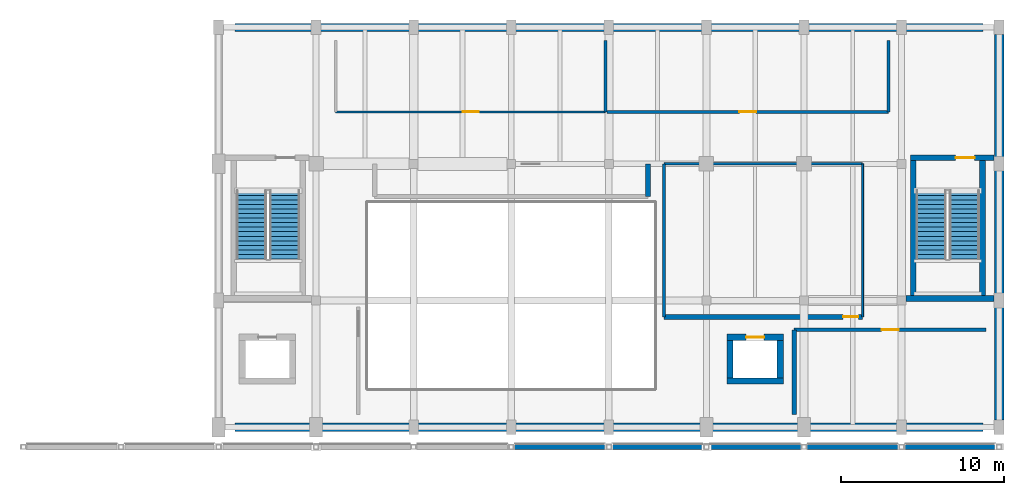
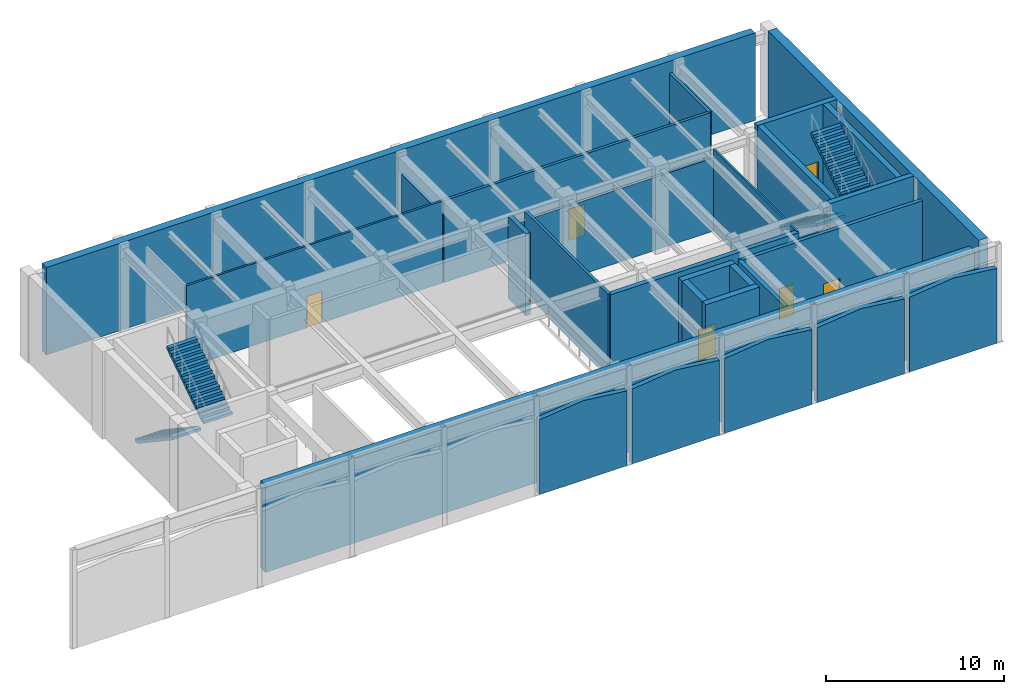
# One storey, part 5 of 8: 27 walls, 6 doors, 4 stair flights, 6 openings, 2 elements without a shape of their own.
"""IFC4 building model written with IfcOpenShell, lengths in metres."""

from ifc_helpers import new_model, si_unit, direction, frame, frame_2d, origin, place, context, subcontext, project, spatial, polyline, rectangle, outline, extrude, material, layer, layer_set, type_object, element, fill, aggregate, save


model = new_model("IFC4")

# Units and contexts
model_context = context("Model", 3, precision=1e-05, world=origin(), true_north=direction((0.0, 1.0)))
body_context = subcontext(model_context, "Body", "Model", "MODEL_VIEW")
ifc_project = project(units=[si_unit("LENGTHUNIT", "METRE"), si_unit("AREAUNIT", "SQUARE_METRE"), si_unit("VOLUMEUNIT", "CUBIC_METRE"), si_unit("PLANEANGLEUNIT", "RADIAN"), si_unit("MASSUNIT", "GRAM", prefix="KILO")], contexts=[model_context])

# Site, building, storey
site_placement = place(None, origin())
site = spatial("IfcSite", under=ifc_project, at=site_placement, CompositionType="ELEMENT")
building_placement = place(site_placement, origin())
building = spatial("IfcBuilding", under=site, at=building_placement, Name="Vaelkrest Opera House", CompositionType="ELEMENT")
storey_placement = place(building_placement, frame((0.0, 0.0, 30.0)))
storey = spatial("IfcBuildingStorey", under=building, at=storey_placement, Name="L06", CompositionType="ELEMENT", Elevation=30.0)

# Walls
ifc_material_1 = material(Name="American black walnut acoustic timber", Category="wood")
ifc_layer_1 = layer(ifc_material_1, 0.31494140625)
ifc_layer_set_1 = layer_set([ifc_layer_1], Name="American black walnut acoustic timber")
wall_type_1 = type_object("IfcWallType", Name="EW04", PredefinedType="STANDARD", material=ifc_layer_set_1)
for number, where, z_axis, x_axis, name in (
    (1, (0.14990234375, 16.199951171875, 0.0), (0.0, 0.0, 1.0), (1.0, 0.0, 0.0), "Pleated roof timber gable infill wall V1-06"),
    (2, (6.14990234375, 16.199951171875, 0.0), (0.0, 0.0, 1.0), (1.0, 0.0, 0.0), "Pleated roof timber gable infill wall V1-07"),
    (3, (12.14990234375, 16.199951171875, 0.0), (0.0, 0.0, 1.0), (1.0, 0.0, 0.0), "Pleated roof timber gable infill wall V1-08"),
    (4, (18.14990234375, 16.199951171875, 0.0), (0.0, 0.0, 1.0), (1.0, 0.0, 0.0), "Pleated roof timber gable infill wall V1-09"),
    (5, (24.14990234375, 16.199951171875, 0.0), (0.0, 0.0, 1.0), (1.0, 0.0, 0.0), "Pleated roof timber gable infill wall V1-10"),
):
    element("IfcWall", number, at=place(storey_placement, frame(where, z_axis=z_axis, x_axis=x_axis)), inside=storey, type_object=wall_type_1, Name=name, PredefinedType="STANDARD", context=body_context, shape_type="SweptSolid", body=[
        extrude(outline(polyline([(0.0, 0.0), (5.7001953125, 0.0), (5.699951171875, 5.135986328125), (2.85009765625, 5.4599609375), (0.0, 5.135986328125), (0.0, 0.0)])), frame((0.0, 0.157470703125, 0.0), z_axis=(0.0, -1.0, 0.0), x_axis=(1.0, 0.0, 0.0)), (0.0, 0.0, 1.0), 0.31494140625),
    ])
ifc_material_2 = material(Name="Gypsum acoustic board", Category="gypsum")
ifc_layer_2 = layer(ifc_material_2, 0.1201171875)
ifc_layer_set_2 = layer_set([ifc_layer_2], Name="Gypsum acoustic board")
wall_type_2 = type_object("IfcWallType", Name="PT01", PredefinedType="PARTITIONING", material=ifc_layer_set_2)
wall_1_placement = place(storey_placement, frame((21.60009765625, 24.199951171875, 0.0), z_axis=(0.0, 0.0, 1.0), x_axis=(0.0, 1.0, 0.0)))
element("IfcWall", 6, at=wall_1_placement, inside=storey, type_object=wall_type_2, Name="Interior partition PT-V2-L06-0239", PredefinedType="PARTITIONING", context=body_context, shape_type="SweptSolid", body=[
    extrude(rectangle(XDim=9.400146484375, YDim=0.1201171875, at=frame_2d((4.7001953125, 0.0))), origin(), (0.0, 0.0, 1.0), 5.6201171875),
])

# Wall, opening, door
ifc_layer_3 = layer(ifc_material_2, 0.135009765625)
ifc_layer_set_3 = layer_set([ifc_layer_3], Name="Gypsum acoustic board")
wall_type_3 = type_object("IfcWallType", Name="PT02", PredefinedType="PARTITIONING", material=ifc_layer_set_3)
wall_2_placement = place(storey_placement, frame((-10.800048828125, 36.800048828125, 0.0), z_axis=(0.0, 0.0, 1.0), x_axis=(1.0, 0.0, 0.0)))
wall_2 = element("IfcWall", 7, at=wall_2_placement, inside=storey, type_object=wall_type_3, Name="Interior partition PT-V2-L06-0240", PredefinedType="PARTITIONING", context=body_context, shape_type="SweptSolid", body=[
    extrude(rectangle(XDim=16.60009765625, YDim=0.135009765625, at=frame_2d((8.300048828125, 0.0))), origin(), (0.0, 0.0, 1.0), 5.6201171875),
])
opening_1_placement = place(wall_2_placement, frame((7.81005859375, 0.0, 0.0)))
opening_1 = element("IfcOpeningElement", 8, at=opening_1_placement, cuts=wall_2, Name="Opening D093", PredefinedType="OPENING", context=body_context, shape_type="SweptSolid", body=[
    extrude(rectangle(XDim=0.97998046875, YDim=2.14990234375, at=frame_2d((0.489990234375, 1.074951171875))), frame((0.0, 0.077392578125, 0.0), z_axis=(0.0, -1.0, 0.0), x_axis=(1.0, 0.0, 0.0)), (0.0, 0.0, 1.0), 0.155029296875),
])
door_type_1 = type_object("IfcDoorType", Name="DT03", OperationType="NOTDEFINED", PredefinedType="DOOR", material=ifc_material_1)
door_1_placement = place(opening_1_placement, origin())
door_1 = element("IfcDoor", 9, at=door_1_placement, inside=storey, type_object=door_type_1, Name="Interior door D093 (Rigging Control Room)", OperationType="SINGLE_SWING_LEFT", OverallHeight=2.14990234375, OverallWidth=0.97998046875, PredefinedType="DOOR", context=body_context, shape_type="SweptSolid", body=[
    extrude(rectangle(XDim=0.97998046875, YDim=2.14990234375, at=frame_2d((0.489990234375, 1.074951171875))), frame((0.0, 0.02490234375, 0.0), z_axis=(0.0, -1.0, 0.0), x_axis=(1.0, 0.0, 0.0)), (0.0, 0.0, 1.0), 0.050048828125),
])
fill(opening_1, door_1)

# Wall
ifc_layer_4 = layer(ifc_material_2, 0.1650390625)
ifc_layer_set_4 = layer_set([ifc_layer_4], Name="Gypsum acoustic board")
wall_type_4 = type_object("IfcWallType", Name="PT04", PredefinedType="PARTITIONING", material=ifc_layer_set_4)
wall_3_placement = place(storey_placement, frame((5.800048828125, 36.800048828125, 0.0), z_axis=(0.0, 0.0, 1.0), x_axis=(0.0, 1.0, 0.0)))
element("IfcWall", 10, at=wall_3_placement, inside=storey, type_object=wall_type_4, Name="Interior partition PT-V2-L06-0242", PredefinedType="PARTITIONING", context=body_context, shape_type="SweptSolid", body=[
    extrude(rectangle(XDim=4.39990234375, YDim=0.1650390625, at=frame_2d((2.199951171875, 0.0))), origin(), (0.0, 0.0, 1.0), 4.7900390625),
])

# Wall, opening, door
ifc_layer_5 = layer(ifc_material_2, 0.179931640625)
ifc_layer_set_5 = layer_set([ifc_layer_5], Name="Gypsum acoustic board")
wall_type_5 = type_object("IfcWallType", Name="PT05", PredefinedType="PARTITIONING", material=ifc_layer_set_5)
wall_4_placement = place(storey_placement, frame((5.8798828125, 36.800048828125, 0.0), z_axis=(0.0, 0.0, 1.0), x_axis=(1.0, 0.0, 0.0)))
wall_4 = element("IfcWall", 11, at=wall_4_placement, inside=storey, type_object=wall_type_5, Name="Interior partition PT-V2-L06-0243", PredefinedType="PARTITIONING", context=body_context, shape_type="SweptSolid", body=[
    extrude(rectangle(XDim=17.320068359375, YDim=0.179931640625, at=frame_2d((8.66015625, 0.0))), origin(), (0.0, 0.0, 1.0), 5.6201171875),
])
opening_2_placement = place(wall_4_placement, frame((8.14990234375, 0.0, 0.0)))
opening_2 = element("IfcOpeningElement", 12, at=opening_2_placement, cuts=wall_4, Name="Opening D094", PredefinedType="OPENING", context=body_context, shape_type="SweptSolid", body=[
    extrude(rectangle(XDim=1.02001953125, YDim=2.14990234375, at=frame_2d((0.510009765625, 1.074951171875))), frame((0.0, 0.099853515625, 0.0), z_axis=(0.0, -1.0, 0.0), x_axis=(1.0, 0.0, 0.0)), (0.0, 0.0, 1.0), 0.199951171875),
])
door_type_2 = type_object("IfcDoorType", Name="DT04", OperationType="NOTDEFINED", PredefinedType="DOOR", material=ifc_material_1)
door_2_placement = place(opening_2_placement, origin())
door_2 = element("IfcDoor", 13, at=door_2_placement, inside=storey, type_object=door_type_2, Name="Interior door D094 (Winch Room)", OperationType="SINGLE_SWING_RIGHT", OverallHeight=2.14990234375, OverallWidth=1.02001953125, PredefinedType="DOOR", context=body_context, shape_type="SweptSolid", body=[
    extrude(rectangle(XDim=1.02001953125, YDim=2.14990234375, at=frame_2d((0.510009765625, 1.074951171875))), frame((0.0, 0.02490234375, 0.0), z_axis=(0.0, -1.0, 0.0), x_axis=(1.0, 0.0, 0.0)), (0.0, 0.0, 1.0), 0.050048828125),
])
fill(opening_2, door_2)

# Wall
ifc_layer_6 = layer(ifc_material_2, 0.195068359375)
ifc_layer_set_6 = layer_set([ifc_layer_6], Name="Gypsum acoustic board")
wall_type_6 = type_object("IfcWallType", Name="PT06", PredefinedType="PARTITIONING", material=ifc_layer_set_6)
wall_5_placement = place(storey_placement, frame((23.199951171875, 36.800048828125, 0.0), z_axis=(0.0, 0.0, 1.0), x_axis=(0.0, 1.0, 0.0)))
element("IfcWall", 14, at=wall_5_placement, inside=storey, type_object=wall_type_6, Name="Interior partition PT-V2-L06-0244", PredefinedType="PARTITIONING", context=body_context, shape_type="SweptSolid", body=[
    extrude(rectangle(XDim=4.39990234375, YDim=0.195068359375, at=frame_2d((2.199951171875, 0.0))), origin(), (0.0, 0.0, 1.0), 5.6201171875),
])

# Wall, opening, door
ifc_material_3 = material(Name="Concrete C40/50", Category="concrete")
ifc_layer_7 = layer(ifc_material_3, 0.239990234375)
ifc_layer_set_7 = layer_set([ifc_layer_7], Name="Concrete C40/50")
wall_type_7 = type_object("IfcWallType", Name="PT09", PredefinedType="PARTITIONING", material=ifc_layer_set_7)
wall_6_placement = place(storey_placement, frame((17.39990234375, 23.39990234375, 0.0), z_axis=(0.0, 0.0, 1.0), x_axis=(1.0, 0.0, 0.0)))
wall_6 = element("IfcWall", 15, at=wall_6_placement, inside=storey, type_object=wall_type_7, Name="Interior partition PT-V2-L06-0245", PredefinedType="PARTITIONING", context=body_context, shape_type="SweptSolid", body=[
    extrude(rectangle(XDim=11.800048828125, YDim=0.239990234375, at=frame_2d((5.89990234375, 0.0))), origin(), (0.0, 0.0, 1.0), 5.6201171875),
])
opening_3_placement = place(wall_6_placement, frame((5.3701171875, 0.0, 0.0)))
opening_3 = element("IfcOpeningElement", 16, at=opening_3_placement, cuts=wall_6, Name="Opening D095", PredefinedType="OPENING", context=body_context, shape_type="SweptSolid", body=[
    extrude(rectangle(XDim=1.06005859375, YDim=2.14990234375, at=frame_2d((0.530029296875, 1.074951171875))), frame((0.0, 0.1298828125, 0.0), z_axis=(0.0, -1.0, 0.0), x_axis=(1.0, 0.0, 0.0)), (0.0, 0.0, 1.0), 0.260009765625),
])
door_type_3 = type_object("IfcDoorType", Name="DT05", OperationType="NOTDEFINED", PredefinedType="DOOR", material=ifc_material_1)
door_3_placement = place(opening_3_placement, origin())
door_3 = element("IfcDoor", 17, at=door_3_placement, inside=storey, type_object=door_type_3, Name="Interior door D095 (Smoke Exhaust Fan Room)", OperationType="SINGLE_SWING_LEFT", OverallHeight=2.14990234375, OverallWidth=1.06005859375, PredefinedType="DOOR", context=body_context, shape_type="SweptSolid", body=[
    extrude(rectangle(XDim=1.06005859375, YDim=2.14990234375, at=frame_2d((0.530029296875, 1.074951171875))), frame((0.0, 0.02490234375, 0.0), z_axis=(0.0, -1.0, 0.0), x_axis=(1.0, 0.0, 0.0)), (0.0, 0.0, 1.0), 0.050048828125),
])
fill(opening_3, door_3)

# Wall
ifc_layer_8 = layer(ifc_material_3, 0.260009765625)
ifc_layer_set_8 = layer_set([ifc_layer_8], Name="Concrete C40/50")
wall_type_8 = type_object("IfcWallType", Name="PT10", PredefinedType="PARTITIONING", material=ifc_layer_set_8)
wall_7_placement = place(storey_placement, frame((17.39990234375, 18.199951171875, 0.0), z_axis=(0.0, 0.0, 1.0), x_axis=(0.0, 1.0, 0.0)))
element("IfcWall", 18, at=wall_7_placement, inside=storey, type_object=wall_type_8, Name="Interior partition PT-V2-L06-0246", PredefinedType="PARTITIONING", context=body_context, shape_type="SweptSolid", body=[
    extrude(rectangle(XDim=5.199951171875, YDim=0.260009765625, at=frame_2d((2.60009765625, 0.0))), origin(), (0.0, 0.0, 1.0), 5.6201171875),
])

# Wall, opening, door
ifc_layer_9 = layer(ifc_material_3, 0.304931640625)
ifc_layer_set_9 = layer_set([ifc_layer_9], Name="Concrete C40/50")
wall_type_9 = type_object("IfcWallType", Name="PT12", PredefinedType="PARTITIONING", material=ifc_layer_set_9)
wall_8_placement = place(storey_placement, frame((9.39990234375, 24.199951171875, 0.0), z_axis=(0.0, 0.0, 1.0), x_axis=(1.0, 0.0, 0.0)))
wall_8 = element("IfcWall", 19, at=wall_8_placement, inside=storey, type_object=wall_type_9, Name="Interior partition PT-V2-L06-0236", PredefinedType="PARTITIONING", context=body_context, shape_type="SweptSolid", body=[
    extrude(rectangle(XDim=12.2001953125, YDim=0.304931640625, at=frame_2d((6.10009765625, 0.0))), origin(), (0.0, 0.0, 1.0), 5.6201171875),
])
opening_4_placement = place(wall_8_placement, frame((11.010009765625, 0.0, 0.0)))
opening_4 = element("IfcOpeningElement", 20, at=opening_4_placement, cuts=wall_8, Name="Opening D092", PredefinedType="OPENING", context=body_context, shape_type="SweptSolid", body=[
    extrude(rectangle(XDim=0.93994140625, YDim=2.10009765625, at=frame_2d((0.469970703125, 1.050048828125))), frame((0.0, 0.162353515625, 0.0), z_axis=(0.0, -1.0, 0.0), x_axis=(1.0, 0.0, 0.0)), (0.0, 0.0, 1.0), 0.324951171875),
])
door_type_4 = type_object("IfcDoorType", Name="DT02", OperationType="NOTDEFINED", PredefinedType="DOOR", material=ifc_material_1)
door_4_placement = place(opening_4_placement, origin())
door_4 = element("IfcDoor", 21, at=door_4_placement, inside=storey, type_object=door_type_4, Name="Interior door D092 (Follow-Spot Gallery)", OperationType="SINGLE_SWING_RIGHT", OverallHeight=2.10009765625, OverallWidth=0.93994140625, PredefinedType="DOOR", context=body_context, shape_type="SweptSolid", body=[
    extrude(rectangle(XDim=0.93994140625, YDim=2.10009765625, at=frame_2d((0.469970703125, 1.050048828125))), frame((0.0, 0.02490234375, 0.0), z_axis=(0.0, -1.0, 0.0), x_axis=(1.0, 0.0, 0.0)), (0.0, 0.0, 1.0), 0.050048828125),
])
fill(opening_4, door_4)

# Walls
wall_9_placement = place(storey_placement, frame((8.39990234375, 31.60009765625, 0.0), z_axis=(0.0, 0.0, 1.0), x_axis=(0.0, 1.0, 0.0)))
element("IfcWall", 22, at=wall_9_placement, inside=storey, type_object=wall_type_9, Name="Interior partition PT-V2-L06-0250", PredefinedType="PARTITIONING", context=body_context, shape_type="SweptSolid", body=[
    extrude(rectangle(XDim=2.0, YDim=0.304931640625, at=frame_2d((1.0, 0.0))), origin(), (0.0, 0.0, 1.0), 5.6201171875),
])
ifc_layer_10 = layer(ifc_material_2, 0.14501953125)
ifc_layer_set_10 = layer_set([ifc_layer_10], Name="Gypsum acoustic board")
wall_type_10 = type_object("IfcWallType", Name="PT13", PredefinedType="PARTITIONING", material=ifc_layer_set_10)
wall_10_placement = place(storey_placement, frame((9.39990234375, 33.60009765625, 0.0), z_axis=(0.0, 0.0, 1.0), x_axis=(1.0, 0.0, 0.0)))
element("IfcWall", 23, at=wall_10_placement, inside=storey, type_object=wall_type_10, Name="Interior partition PT-V2-L06-0237", PredefinedType="PARTITIONING", context=body_context, shape_type="SweptSolid", body=[
    extrude(rectangle(XDim=12.2001953125, YDim=0.14501953125, at=frame_2d((6.10009765625, 0.0))), origin(), (0.0, 0.0, 1.0), 5.011962890625),
])
ifc_layer_11 = layer(ifc_material_1, 0.175048828125)
ifc_layer_set_11 = layer_set([ifc_layer_11], Name="American black walnut acoustic timber")
wall_type_11 = type_object("IfcWallType", Name="PT14", PredefinedType="PARTITIONING", material=ifc_layer_set_11)
wall_11_placement = place(storey_placement, frame((9.39990234375, 24.199951171875, 0.0), z_axis=(0.0, 0.0, 1.0), x_axis=(0.0, 1.0, 0.0)))
element("IfcWall", 24, at=wall_11_placement, inside=storey, type_object=wall_type_11, Name="Interior partition PT-V2-L06-0238", PredefinedType="PARTITIONING", context=body_context, shape_type="SweptSolid", body=[
    extrude(rectangle(XDim=9.400146484375, YDim=0.175048828125, at=frame_2d((4.7001953125, 0.0))), origin(), (0.0, 0.0, 1.0), 5.6201171875),
])
ifc_material_4 = material(Name="Concrete C50/60", Category="concrete")
ifc_layer_12 = layer(ifc_material_4, 0.35009765625)
ifc_layer_set_12 = layer_set([ifc_layer_12], Name="Concrete C50/60")
wall_type_12 = type_object("IfcWallType", Name="SW01", PredefinedType="SHEAR", material=ifc_layer_set_12)
wall_12_placement = place(storey_placement, frame((29.699951171875, 25.324951171875, 0.0), z_axis=(0.0, 0.0, 1.0), x_axis=(-1.0, 0.0, 0.0)))
element("IfcWall", 25, at=wall_12_placement, inside=storey, type_object=wall_type_12, Name="Stair core ST06 wall L06 S", PredefinedType="SHEAR", context=body_context, shape_type="SweptSolid", body=[
    extrude(rectangle(XDim=5.425048828125, YDim=0.35009765625, at=frame_2d((2.71240234375, 0.0))), origin(), (0.0, 0.0, 1.0), 6.0),
])
wall_13_placement = place(storey_placement, frame((24.72509765625, 25.5, 0.0), z_axis=(0.0, 0.0, 1.0), x_axis=(0.0, 1.0, 0.0)))
element("IfcWall", 26, at=wall_13_placement, inside=storey, type_object=wall_type_12, Name="Stair core ST06 wall L06 W", PredefinedType="SHEAR", context=body_context, shape_type="SweptSolid", body=[
    extrude(rectangle(XDim=8.300048828125, YDim=0.35009765625, at=frame_2d((4.14990234375, 0.0))), origin(), (0.0, 0.0, 1.0), 6.0),
])

# Wall, opening, door
wall_14_placement = place(storey_placement, frame((24.550048828125, 33.97509765625, 0.0), z_axis=(0.0, 0.0, 1.0), x_axis=(1.0, 0.0, 0.0)))
wall_14 = element("IfcWall", 27, at=wall_14_placement, inside=storey, type_object=wall_type_12, Name="Stair core ST06 wall L06 N", PredefinedType="SHEAR", context=body_context, shape_type="SweptSolid", body=[
    extrude(rectangle(XDim=5.14990234375, YDim=0.35009765625, at=frame_2d((2.574951171875, 0.0))), origin(), (0.0, 0.0, 1.0), 6.0),
])
opening_5_placement = place(wall_14_placement, frame((2.77001953125, 0.0, 0.0)))
opening_5 = element("IfcOpeningElement", 28, at=opening_5_placement, cuts=wall_14, Name="Opening SD-ST06-L06", PredefinedType="OPENING", context=body_context, shape_type="SweptSolid", body=[
    extrude(rectangle(XDim=1.179931640625, YDim=2.14990234375, at=frame_2d((0.58984375, 1.074951171875))), frame((0.0, 0.18505859375, 0.0), z_axis=(0.0, -1.0, 0.0), x_axis=(1.0, 0.0, 0.0)), (0.0, 0.0, 1.0), 0.3701171875),
])
door_type_5 = type_object("IfcDoorType", Name="DT07", OperationType="NOTDEFINED", PredefinedType="DOOR", material=ifc_material_1)
door_5_placement = place(opening_5_placement, origin())
door_5 = element("IfcDoor", 29, at=door_5_placement, inside=storey, type_object=door_type_5, Name="Protected stair door SD-ST06-L06", OperationType="SINGLE_SWING_RIGHT", OverallHeight=2.14990234375, OverallWidth=1.179931640625, PredefinedType="DOOR", context=body_context, shape_type="SweptSolid", body=[
    extrude(rectangle(XDim=1.179931640625, YDim=2.14990234375, at=frame_2d((0.58984375, 1.074951171875))), frame((0.0, 0.02490234375, 0.0), z_axis=(0.0, -1.0, 0.0), x_axis=(1.0, 0.0, 0.0)), (0.0, 0.0, 1.0), 0.050048828125),
])
fill(opening_5, door_5)

# Walls
wall_15_placement = place(storey_placement, frame((28.97509765625, 33.800048828125, 0.0), z_axis=(0.0, 0.0, 1.0), x_axis=(0.0, -1.0, 0.0)))
element("IfcWall", 30, at=wall_15_placement, inside=storey, type_object=wall_type_12, Name="Stair core ST06 wall L06 E", PredefinedType="SHEAR", context=body_context, shape_type="SweptSolid", body=[
    extrude(rectangle(XDim=8.300048828125, YDim=0.35009765625, at=frame_2d((4.14990234375, 0.0))), origin(), (0.0, 0.0, 1.0), 6.0),
])
ifc_layer_13 = layer(ifc_material_4, 0.389892578125)
ifc_layer_set_13 = layer_set([ifc_layer_13], Name="Concrete C50/60")
wall_type_13 = type_object("IfcWallType", Name="SW02", PredefinedType="SHEAR", material=ifc_layer_set_13)
wall_16_placement = place(storey_placement, frame((16.739990234375, 20.2548828125, 0.0), z_axis=(0.0, 0.0, 1.0), x_axis=(-1.0, 0.0, 0.0)))
element("IfcWall", 31, at=wall_16_placement, inside=storey, type_object=wall_type_13, Name="Lift shaft LF02 wall L06 S", PredefinedType="SHEAR", context=body_context, shape_type="SweptSolid", body=[
    extrude(rectangle(XDim=3.47998046875, YDim=0.389892578125, at=frame_2d((1.739990234375, 0.0))), origin(), (0.0, 0.0, 1.0), 6.0),
])

# Wall, opening, door
wall_17_placement = place(storey_placement, frame((13.260009765625, 22.945068359375, 0.0), z_axis=(0.0, 0.0, 1.0), x_axis=(1.0, 0.0, 0.0)))
wall_17 = element("IfcWall", 32, at=wall_17_placement, inside=storey, type_object=wall_type_13, Name="Lift shaft LF02 wall L06 N", PredefinedType="SHEAR", context=body_context, shape_type="SweptSolid", body=[
    extrude(rectangle(XDim=3.47998046875, YDim=0.389892578125, at=frame_2d((1.739990234375, 0.0))), origin(), (0.0, 0.0, 1.0), 6.0),
])
opening_6_placement = place(wall_17_placement, frame((1.18994140625, 0.0, 0.0)))
opening_6 = element("IfcOpeningElement", 33, at=opening_6_placement, cuts=wall_17, Name="Opening LD-LF02-L06", PredefinedType="OPENING", context=body_context, shape_type="SweptSolid", body=[
    extrude(rectangle(XDim=1.10009765625, YDim=2.14990234375, at=frame_2d((0.550048828125, 1.074951171875))), frame((0.0, 0.204833984375, 0.0), z_axis=(0.0, -1.0, 0.0), x_axis=(1.0, 0.0, 0.0)), (0.0, 0.0, 1.0), 0.409912109375),
])
ifc_material_5 = material(Name="Dark bronze anodized aluminium", Category="aluminium")
door_type_6 = type_object("IfcDoorType", Name="LDT01", OperationType="SLIDING_TO_LEFT", PredefinedType="DOOR", material=ifc_material_5)
door_6_placement = place(opening_6_placement, origin())
door_6 = element("IfcDoor", 34, at=door_6_placement, inside=storey, type_object=door_type_6, Name="Lift landing sliding door LD-LF02-L06", OperationType="SLIDING_TO_LEFT", OverallHeight=2.14990234375, OverallWidth=1.10009765625, PredefinedType="DOOR", context=body_context, shape_type="SweptSolid", body=[
    extrude(rectangle(XDim=1.10009765625, YDim=2.14990234375, at=frame_2d((0.550048828125, 1.074951171875))), frame((0.0, 0.02490234375, 0.0), z_axis=(0.0, -1.0, 0.0), x_axis=(1.0, 0.0, 0.0)), (0.0, 0.0, 1.0), 0.050048828125),
])
fill(opening_6, door_6)

# Walls
for number, where, z_axis, x_axis, name in (
    (35, (13.455078125, 20.449951171875, 0.0), (0.0, 0.0, 1.0), (0.0, 1.0, 0.0), "Lift shaft LF02 wall L06 W"),
    (36, (16.544921875, 22.75, 0.0), (0.0, 0.0, 1.0), (0.0, -1.0, 0.0), "Lift shaft LF02 wall L06 E"),
):
    element("IfcWall", number, at=place(storey_placement, frame(where, z_axis=z_axis, x_axis=x_axis)), inside=storey, type_object=wall_type_13, Name=name, PredefinedType="SHEAR", context=body_context, shape_type="SweptSolid", body=[
        extrude(rectangle(XDim=2.300048828125, YDim=0.389892578125, at=frame_2d((1.14990234375, 0.0))), origin(), (0.0, 0.0, 1.0), 6.0),
    ])
ifc_layer_14 = layer(ifc_material_4, 0.52001953125)
ifc_layer_set_14 = layer_set([ifc_layer_14], Name="Concrete C50/60")
wall_type_14 = type_object("IfcWallType", Name="SW04", PredefinedType="SHEAR", material=ifc_layer_set_14)
wall_18_placement = place(storey_placement, frame((-17.0, 17.39990234375, 0.0), z_axis=(0.0, 0.0, 1.0), x_axis=(1.0, 0.0, 0.0)))
element("IfcWall", 37, at=wall_18_placement, inside=storey, type_object=wall_type_14, Name="Proscenium shear wall L06", PredefinedType="SHEAR", context=body_context, shape_type="SweptSolid", body=[
    extrude(rectangle(XDim=46.0, YDim=0.52001953125, at=frame_2d((23.0, 0.0))), origin(), (0.0, 0.0, 1.0), 6.0),
])
ifc_layer_15 = layer(ifc_material_4, 0.5)
ifc_layer_set_15 = layer_set([ifc_layer_15], Name="Concrete C50/60")
wall_type_15 = type_object("IfcWallType", Name="SW05", PredefinedType="SHEAR", material=ifc_layer_set_15)
wall_19_placement = place(storey_placement, frame((-17.0, 42.0, 0.0), z_axis=(0.0, 0.0, 1.0), x_axis=(1.0, 0.0, 0.0)))
element("IfcWall", 38, at=wall_19_placement, inside=storey, type_object=wall_type_15, Name="Fly tower north shear wall L06", PredefinedType="SHEAR", context=body_context, shape_type="SweptSolid", body=[
    extrude(rectangle(XDim=46.0, YDim=0.5, at=frame_2d((23.0, 0.0))), origin(), (0.0, 0.0, 1.0), 6.0),
])
ifc_layer_16 = layer(ifc_material_4, 0.580078125)
ifc_layer_set_16 = layer_set([ifc_layer_16], Name="Concrete C50/60")
wall_type_16 = type_object("IfcWallType", Name="SW06", PredefinedType="SHEAR", material=ifc_layer_set_16)
wall_20_placement = place(storey_placement, frame((30.0, 17.85009765625, 0.0), z_axis=(0.0, 0.0, 1.0), x_axis=(0.0, 1.0, 0.0)))
element("IfcWall", 39, at=wall_20_placement, inside=storey, type_object=wall_type_16, Name="Fly tower east exterior shear wall L06", PredefinedType="SHEAR", context=body_context, shape_type="SweptSolid", body=[
    extrude(rectangle(XDim=23.699951171875, YDim=0.580078125, at=frame_2d((11.85009765625, 0.0))), origin(), (0.0, 0.0, 1.0), 6.0),
])

# Stair, stair flights
stair_type_1 = type_object("IfcStairType", Name="ST05", PredefinedType="TWO_STRAIGHT_RUN_STAIR", material=ifc_material_3)
stair_1_placement = place(storey_placement, origin())
stair_1 = element("IfcStair", 40, at=stair_1_placement, inside=storey, type_object=stair_type_1, Name="L06 Protected exit stair ST05", PredefinedType="TWO_STRAIGHT_RUN_STAIR")
stair_flight_type = type_object("IfcStairFlightType", Name="SFL176", PredefinedType="STRAIGHT", material=ifc_material_3)
stair_flight_1_placement = place(storey_placement, frame((-15.97509765625, 31.949951171875, 0.0), z_axis=(0.0, 0.0, 1.0), x_axis=(0.0, -1.0, 0.0)))
stair_flight_1 = element("IfcStairFlight", 41, at=stair_flight_1_placement, type_object=stair_flight_type, Name="ST05 flight 1", NumberOfRisers=16, NumberOfTreads=15, PredefinedType="STRAIGHT", RiserHeight=0.1875, TreadLength=0.28, context=body_context, shape_type="SweptSolid", body=[
    extrude(outline(polyline([(0.0, 0.0), (0.0, 0.1875), (0.280029296875, 0.1875), (0.280029296875, 0.375), (0.56005859375, 0.375), (0.56005859375, 0.5625), (0.840087890625, 0.5625), (0.840087890625, 0.75), (1.1201171875, 0.75), (1.1201171875, 0.9375), (1.39990234375, 0.9375), (1.39990234375, 1.125), (1.679931640625, 1.125), (1.679931640625, 1.3125), (1.9599609375, 1.3125), (1.9599609375, 1.5), (2.239990234375, 1.5), (2.239990234375, 1.6875), (2.52001953125, 1.6875), (2.52001953125, 1.875), (2.800048828125, 1.875), (2.800048828125, 2.0625), (3.080078125, 2.0625), (3.080078125, 2.25), (3.360107421875, 2.25), (3.360107421875, 2.4375), (3.639892578125, 2.4375), (3.639892578125, 2.625), (3.919921875, 2.625), (3.919921875, 2.8125), (4.199951171875, 2.8125), (4.199951171875, 3.0), (4.199951171875, 2.6201171875), (0.287353515625, 0.0), (0.0, 0.0)])), frame((0.0, 0.925048828125, 0.0), z_axis=(0.0, -1.0, 0.0), x_axis=(1.0, 0.0, 0.0)), (0.0, 0.0, 1.0), 1.85009765625),
])
stair_flight_2_placement = place(storey_placement, frame((-13.925048828125, 27.75, 3.0), z_axis=(0.0, 0.0, 1.0), x_axis=(0.0, 1.0, 0.0)))
stair_flight_2 = element("IfcStairFlight", 42, at=stair_flight_2_placement, type_object=stair_flight_type, Name="ST05 flight 2", NumberOfRisers=16, NumberOfTreads=15, PredefinedType="STRAIGHT", RiserHeight=0.1875, TreadLength=0.28, context=body_context, shape_type="SweptSolid", body=[
    extrude(outline(polyline([(0.0, 0.0), (0.0, 0.1875), (0.280029296875, 0.1875), (0.280029296875, 0.375), (0.56005859375, 0.375), (0.56005859375, 0.5625), (0.840087890625, 0.5625), (0.840087890625, 0.75), (1.1201171875, 0.75), (1.1201171875, 0.9375), (1.39990234375, 0.9375), (1.39990234375, 1.125), (1.679931640625, 1.125), (1.679931640625, 1.3125), (1.9599609375, 1.3125), (1.9599609375, 1.5), (2.239990234375, 1.5), (2.239990234375, 1.6875), (2.52001953125, 1.6875), (2.52001953125, 1.875), (2.800048828125, 1.875), (2.800048828125, 2.0625), (3.080078125, 2.0625), (3.080078125, 2.25), (3.360107421875, 2.25), (3.360107421875, 2.4375), (3.639892578125, 2.4375), (3.639892578125, 2.625), (3.919921875, 2.625), (3.919921875, 2.8125), (4.199951171875, 2.8125), (4.199951171875, 3.0), (4.199951171875, 2.6201171875), (0.287353515625, 0.0), (0.0, 0.0)])), frame((0.0, 0.925048828125, 0.0), z_axis=(0.0, -1.0, 0.0), x_axis=(1.0, 0.0, 0.0)), (0.0, 0.0, 1.0), 1.85009765625),
])
aggregate(stair_1, [stair_flight_1, stair_flight_2])

stair_type_2 = type_object("IfcStairType", Name="ST06", PredefinedType="TWO_STRAIGHT_RUN_STAIR", material=ifc_material_3)
stair_2_placement = place(storey_placement, origin())
stair_2 = element("IfcStair", 43, at=stair_2_placement, inside=storey, type_object=stair_type_2, Name="L06 Protected exit stair ST06", PredefinedType="TWO_STRAIGHT_RUN_STAIR")
stair_flight_3_placement = place(storey_placement, frame((25.824951171875, 31.949951171875, 0.0), z_axis=(0.0, 0.0, 1.0), x_axis=(0.0, -1.0, 0.0)))
stair_flight_3 = element("IfcStairFlight", 44, at=stair_flight_3_placement, type_object=stair_flight_type, Name="ST06 flight 1", NumberOfRisers=16, NumberOfTreads=15, PredefinedType="STRAIGHT", RiserHeight=0.1875, TreadLength=0.28, context=body_context, shape_type="SweptSolid", body=[
    extrude(outline(polyline([(0.0, 0.0), (0.0, 0.1875), (0.280029296875, 0.1875), (0.280029296875, 0.375), (0.56005859375, 0.375), (0.56005859375, 0.5625), (0.840087890625, 0.5625), (0.840087890625, 0.75), (1.1201171875, 0.75), (1.1201171875, 0.9375), (1.39990234375, 0.9375), (1.39990234375, 1.125), (1.679931640625, 1.125), (1.679931640625, 1.3125), (1.9599609375, 1.3125), (1.9599609375, 1.5), (2.239990234375, 1.5), (2.239990234375, 1.6875), (2.52001953125, 1.6875), (2.52001953125, 1.875), (2.800048828125, 1.875), (2.800048828125, 2.0625), (3.080078125, 2.0625), (3.080078125, 2.25), (3.360107421875, 2.25), (3.360107421875, 2.4375), (3.639892578125, 2.4375), (3.639892578125, 2.625), (3.919921875, 2.625), (3.919921875, 2.8125), (4.199951171875, 2.8125), (4.199951171875, 3.0), (4.199951171875, 2.6201171875), (0.287353515625, 0.0), (0.0, 0.0)])), frame((0.0, 0.925048828125, 0.0), z_axis=(0.0, -1.0, 0.0), x_axis=(1.0, 0.0, 0.0)), (0.0, 0.0, 1.0), 1.85009765625),
])
stair_flight_4_placement = place(storey_placement, frame((27.875, 27.75, 3.0), z_axis=(0.0, 0.0, 1.0), x_axis=(0.0, 1.0, 0.0)))
stair_flight_4 = element("IfcStairFlight", 45, at=stair_flight_4_placement, type_object=stair_flight_type, Name="ST06 flight 2", NumberOfRisers=16, NumberOfTreads=15, PredefinedType="STRAIGHT", RiserHeight=0.1875, TreadLength=0.28, context=body_context, shape_type="SweptSolid", body=[
    extrude(outline(polyline([(0.0, 0.0), (0.0, 0.1875), (0.280029296875, 0.1875), (0.280029296875, 0.375), (0.56005859375, 0.375), (0.56005859375, 0.5625), (0.840087890625, 0.5625), (0.840087890625, 0.75), (1.1201171875, 0.75), (1.1201171875, 0.9375), (1.39990234375, 0.9375), (1.39990234375, 1.125), (1.679931640625, 1.125), (1.679931640625, 1.3125), (1.9599609375, 1.3125), (1.9599609375, 1.5), (2.239990234375, 1.5), (2.239990234375, 1.6875), (2.52001953125, 1.6875), (2.52001953125, 1.875), (2.800048828125, 1.875), (2.800048828125, 2.0625), (3.080078125, 2.0625), (3.080078125, 2.25), (3.360107421875, 2.25), (3.360107421875, 2.4375), (3.639892578125, 2.4375), (3.639892578125, 2.625), (3.919921875, 2.625), (3.919921875, 2.8125), (4.199951171875, 2.8125), (4.199951171875, 3.0), (4.199951171875, 2.6201171875), (0.287353515625, 0.0), (0.0, 0.0)])), frame((0.0, 0.925048828125, 0.0), z_axis=(0.0, -1.0, 0.0), x_axis=(1.0, 0.0, 0.0)), (0.0, 0.0, 1.0), 1.85009765625),
])
aggregate(stair_2, [stair_flight_3, stair_flight_4])

save(model, "model.ifc")
